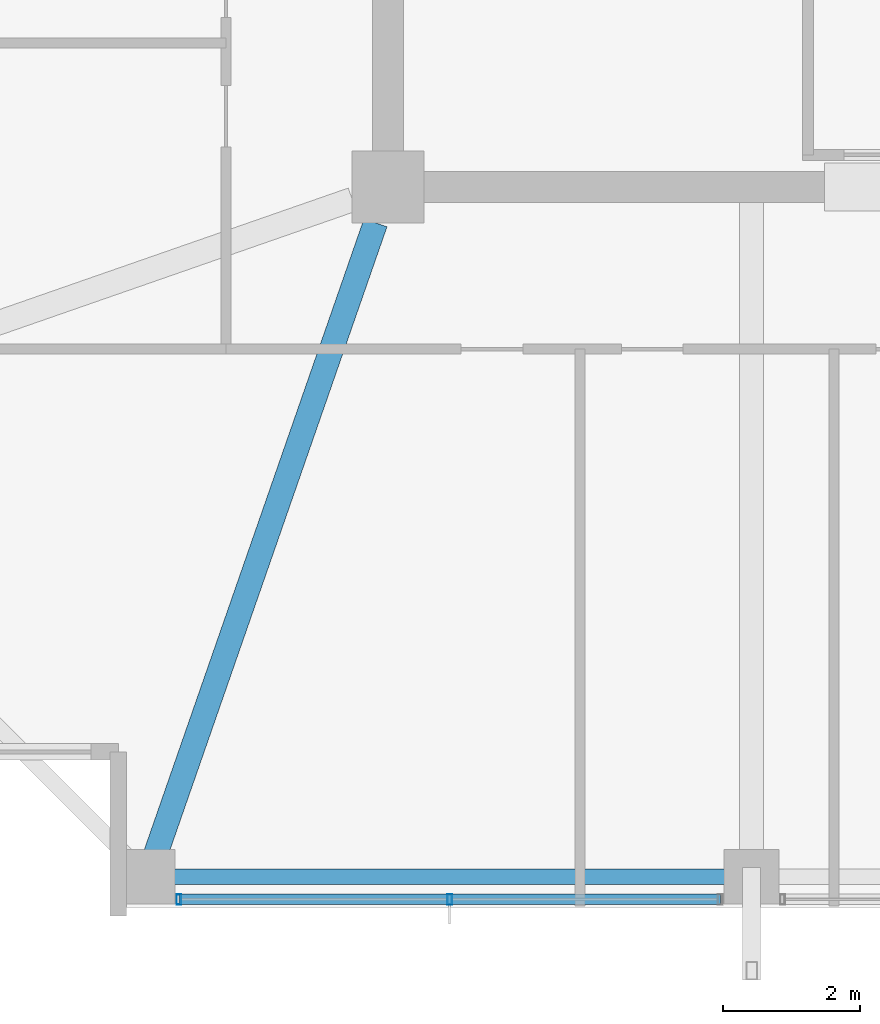
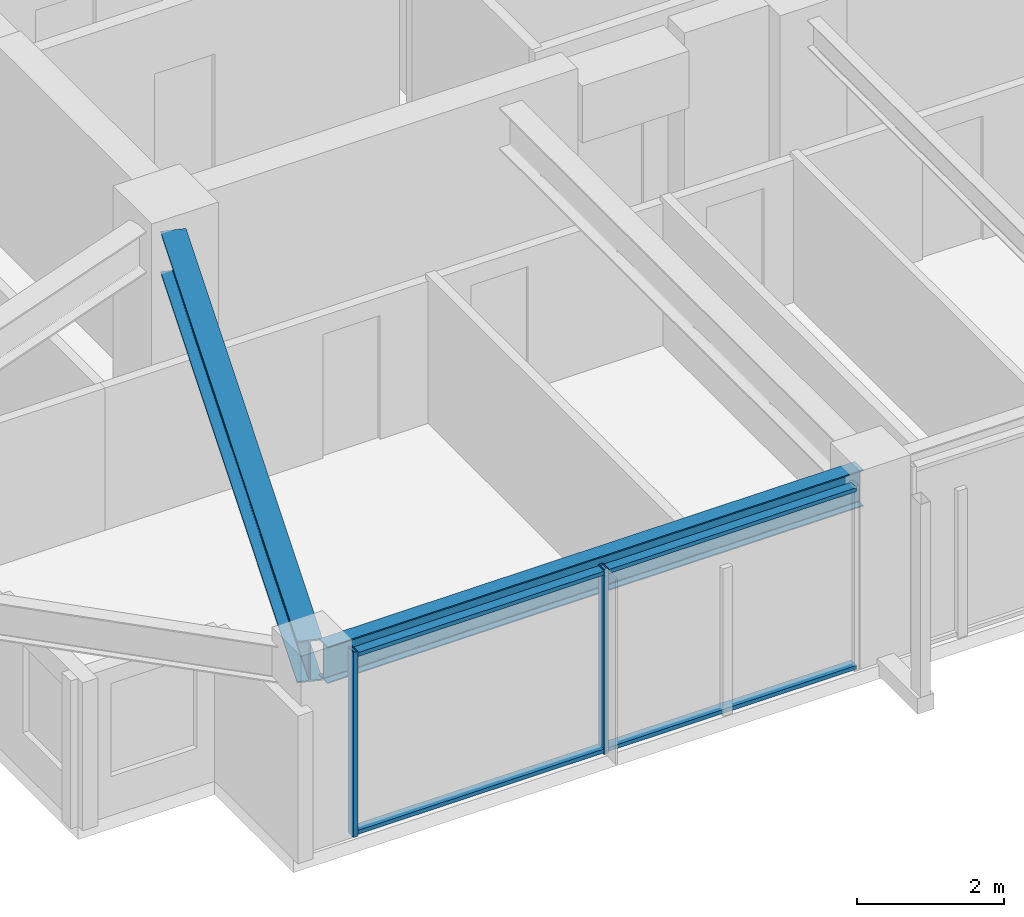
# One storey, part 2 of 35: 4 members, 2 beams, 1 element without a shape of its own.
"""IFC4 building model written with IfcOpenShell, lengths in metres."""

import ifcopenshell
import ifcopenshell.guid

model = None  # the IFC model being written
_history = None  # IfcOwnerHistory: only IFC2X3 demands one
_inside = {}  # id of a spatial element -> (the spatial element, [elements in it])
_under = {}  # id of a project, library or spatial element -> (it, [spatial elements below it])
_declared = {}  # id of a project -> (the project, [libraries it declares])
_typed = {}  # id of a type object -> (the type object, [elements of that type])
_made_of = {}  # id of a material, layer set ... -> (it, [elements and type objects made of it])


def new_model(schema):
    """Start an empty IFC model of exactly this schema.

    Asked for "IFC4X3", IfcOpenShell would pick the latest addendum, in which some entities
    have other attributes; the version numbers below select the first issue.
    IFC2X3 requires an IfcOwnerHistory on every rooted entity: one is made here for all.
    """
    global model, _history
    if schema == "IFC4X3":
        model = ifcopenshell.file(schema_version=(4, 3, 0, 0))
    else:
        model = ifcopenshell.file(schema=schema)
    _inside.clear()
    _under.clear()
    _declared.clear()
    _typed.clear()
    _made_of.clear()
    _history = None
    if model.schema == "IFC2X3":
        org = make("IfcOrganization", Name="unknown")
        user = make(
            "IfcPersonAndOrganization",
            ThePerson=make("IfcPerson", FamilyName="unknown"),
            TheOrganization=org,
        )
        app = make(
            "IfcApplication",
            ApplicationDeveloper=org,
            Version="unknown",
            ApplicationFullName="unknown",
            ApplicationIdentifier="unknown",
        )
        _history = make(
            "IfcOwnerHistory",
            OwningUser=user,
            OwningApplication=app,
            ChangeAction="ADDED",
            CreationDate=0,
        )
    return model


def make(cls, **values):
    """One entity of the class cls with the attributes given. An attribute that is None is left unset."""
    return model.create_entity(
        cls, **{name: value for name, value in values.items() if value is not None}
    )


def rooted(cls, **values):
    """An entity with a GlobalId (a new one), such as an element, a storey or a relation."""
    return make(cls, GlobalId=ifcopenshell.guid.new(), OwnerHistory=_history, **values)


def si_unit(unit_type, name, prefix=None):
    """IfcSIUnit, for example si_unit("LENGTHUNIT", "METRE", prefix="MILLI")."""
    return make("IfcSIUnit", UnitType=unit_type, Prefix=prefix, Name=name)


def assignment(units):
    """IfcUnitAssignment: the units of a project."""
    return None if units is None else make("IfcUnitAssignment", Units=units)


def point(xyz):
    """IfcCartesianPoint."""
    return None if xyz is None else make("IfcCartesianPoint", Coordinates=xyz)


def direction(xyz):
    """IfcDirection."""
    return None if xyz is None else make("IfcDirection", DirectionRatios=xyz)


def frame(location, z_axis=None, x_axis=None):
    """IfcAxis2Placement3D, a coordinate frame: its origin and axes. An axis left out is left unset."""
    return make(
        "IfcAxis2Placement3D",
        Location=point(location),
        Axis=direction(z_axis),
        RefDirection=direction(x_axis),
    )


def frame_2d(location, x_axis=None):
    """IfcAxis2Placement2D, a coordinate frame in the plane: its origin and x axis."""
    return make(
        "IfcAxis2Placement2D", Location=point(location), RefDirection=direction(x_axis)
    )


def origin():
    """The frame at (0, 0, 0) with its axes left unset."""
    return frame((0.0, 0.0, 0.0))


def origin_2d():
    """The frame at (0, 0) in the plane with its x axis left unset."""
    return frame_2d((0.0, 0.0))


def place(relative_to, where):
    """IfcLocalPlacement: puts the frame where relative to a parent placement (None: the world)."""
    return make(
        "IfcLocalPlacement", PlacementRelTo=relative_to, RelativePlacement=where
    )


def context(
    kind, dimensions, precision=None, world=None, true_north=None, identifier=None
):
    """IfcGeometricRepresentationContext, for example the 3D "Model" context."""
    return make(
        "IfcGeometricRepresentationContext",
        ContextIdentifier=identifier,
        ContextType=kind,
        CoordinateSpaceDimension=dimensions,
        Precision=precision,
        WorldCoordinateSystem=world,
        TrueNorth=true_north,
    )


def subcontext(parent, identifier, kind, view, scale=None):
    """IfcGeometricRepresentationSubContext, for example "Body" below "Model"."""
    return make(
        "IfcGeometricRepresentationSubContext",
        ContextIdentifier=identifier,
        ContextType=kind,
        ParentContext=parent,
        TargetScale=scale,
        TargetView=view,
    )


def project(units=None, contexts=None):
    """IfcProject with its units and contexts."""
    return rooted(
        "IfcProject",
        Name="project",
        RepresentationContexts=contexts,
        UnitsInContext=assignment(units),
    )


def spatial(cls, under=None, at=None, **own):
    """A site, building, storey or space (cls), placed at a placement, below another one or the project."""
    s = rooted(cls, ObjectPlacement=at, **own)
    if under is not None:
        _under.setdefault(under.id(), (under, []))[1].append(s)
    return s


def profile(cls, at=None, kind="AREA", **sizes):
    """A parametric profile (cls). Its sizes go by their IFC names, for example OverallWidth=200.0."""
    return make(cls, ProfileType=kind, Position=at, **sizes)


def hollow_rectangle(**sizes):
    """IfcRectangleHollowProfileDef."""
    return profile("IfcRectangleHollowProfileDef", **sizes)


def i_section(**sizes):
    """IfcIShapeProfileDef."""
    return profile("IfcIShapeProfileDef", **sizes)


def extrude(swept, where, along, depth):
    """IfcExtrudedAreaSolid: the profile swept, set in the frame where, extruded along a direction by depth."""
    return make(
        "IfcExtrudedAreaSolid",
        SweptArea=swept,
        Position=where,
        ExtrudedDirection=direction(along),
        Depth=depth,
    )


def shape(context_of_items, identifier, shape_type, items):
    """IfcShapeRepresentation: the items that make up one representation, for example the "Body"."""
    return make(
        "IfcShapeRepresentation",
        ContextOfItems=context_of_items,
        RepresentationIdentifier=identifier,
        RepresentationType=shape_type,
        Items=items,
    )


def material(Name=None, Category=None):
    """IfcMaterial."""
    return make("IfcMaterial", Name=Name, Category=Category)


def material_profile(
    of_material, cross_section, Name=None, Category=None, Priority=None
):
    """IfcMaterialProfile: a cross section and its material."""
    return make(
        "IfcMaterialProfile",
        Name=Name,
        Material=of_material,
        Profile=cross_section,
        Priority=Priority,
        Category=Category,
    )


def profile_set(profiles, Name=None, composite=None):
    """IfcMaterialProfileSet."""
    return make(
        "IfcMaterialProfileSet",
        Name=Name,
        MaterialProfiles=profiles,
        CompositeProfile=composite,
    )


def made_of(thing, what):
    """Note that an element or type object is made of a material, layer set ...; save() writes the relation."""
    if what is not None:
        _made_of.setdefault(what.id(), (what, []))[1].append(thing)
    return thing


def type_object(cls, material=None, **own):
    """A type object (cls), such as IfcWallType, which elements share."""
    return made_of(rooted(cls, **own), material)


def element(
    cls,
    number,
    at=None,
    inside=None,
    cuts=None,
    type_object=None,
    material=None,
    context=None,
    identifier="Body",
    shape_type=None,
    held_by="IfcProductDefinitionShape",
    body=None,
    shapes=None,
    **own,
):
    """One element of the class cls, such as IfcWall. Its Tag is "e" and its number.

    at: its placement. inside: the storey or other place that contains it. cuts: it is an
    opening in that element (IfcRelVoidsElement). A single representation is given by context,
    identifier, shape_type and body (its items); several are given by shapes. held_by: the class
    of the entity that holds the representations. save() writes the other relations.
    """
    e = rooted(cls, Tag="e%d" % number, ObjectPlacement=at, **own)
    if body is not None:
        shapes = [shape(context, identifier, shape_type, body)]
    if shapes is not None:
        e.Representation = make(held_by, Representations=shapes)
    if inside is not None:
        _inside.setdefault(inside.id(), (inside, []))[1].append(e)
    if cuts is not None:
        rooted(
            "IfcRelVoidsElement", RelatingBuildingElement=cuts, RelatedOpeningElement=e
        )
    if type_object is not None:
        _typed.setdefault(type_object.id(), (type_object, []))[1].append(e)
    return made_of(e, material)


def aggregate(whole, parts):
    """IfcRelAggregates: a whole, such as a stair, and the parts it consists of."""
    return rooted("IfcRelAggregates", RelatingObject=whole, RelatedObjects=parts)


def save(model, path):
    """Write the relations noted so far, then the file.

    IfcRelAggregates (storeys below a building ...), IfcRelContainedInSpatialStructure (elements
    in a storey), IfcRelDefinesByType, IfcRelAssociatesMaterial and IfcRelDeclares: one each for
    every whole, place, type object, material and project.
    """
    for whole, parts in _under.values():
        aggregate(whole, parts)
    for where, things in _inside.values():
        rooted(
            "IfcRelContainedInSpatialStructure",
            RelatedElements=things,
            RelatingStructure=where,
        )
    for kind, things in _typed.values():
        rooted("IfcRelDefinesByType", RelatedObjects=things, RelatingType=kind)
    for what, things in _made_of.values():
        rooted("IfcRelAssociatesMaterial", RelatedObjects=things, RelatingMaterial=what)
    for by, libraries in _declared.values():
        rooted("IfcRelDeclares", RelatingContext=by, RelatedDefinitions=libraries)
    model.write(path)


model = new_model("IFC4")

# Units and contexts
model_context = context("Model", 3, precision=1e-05, world=origin(), true_north=direction((0.0, 1.0)))
body_context = subcontext(model_context, "Body", "Model", "MODEL_VIEW")
ifc_project = project(units=[si_unit("LENGTHUNIT", "METRE"), si_unit("AREAUNIT", "SQUARE_METRE"), si_unit("VOLUMEUNIT", "CUBIC_METRE"), si_unit("PLANEANGLEUNIT", "RADIAN"), si_unit("MASSUNIT", "GRAM", prefix="KILO")], contexts=[model_context])

# Site, building, storey
site_placement = place(None, origin())
site = spatial("IfcSite", under=ifc_project, at=site_placement, CompositionType="ELEMENT")
building_placement = place(site_placement, origin())
building = spatial("IfcBuilding", under=site, at=building_placement, Name="Kolvaren Belvedere", CompositionType="ELEMENT")
storey_placement = place(building_placement, frame((0.0, 0.0, 216.300048828125)))
storey = spatial("IfcBuildingStorey", under=building, at=storey_placement, Name="L63", CompositionType="ELEMENT", Elevation=216.300048828125)

# Beams
ifc_material_1 = material(Name="Structural steel ASTM A992 Grade 50", Category="steel")
ifc_material_profile_1 = material_profile(ifc_material_1, i_section(OverallWidth=0.35498046875, OverallDepth=0.696044921875, WebThickness=0.015380859375, FlangeThickness=0.02490234375, FilletRadius=0.02197265625, at=origin_2d()), Name="W27X146")
ifc_profile_set_1 = profile_set([ifc_material_profile_1], Name="Structural steel ASTM A992 Grade 50")
beam_type_1 = type_object("IfcBeamType", Name="BM-GIRD-W27X146", PredefinedType="BEAM", material=ifc_profile_set_1)
beam_1_placement = place(storey_placement, frame((-10.080810546875, -10.41943359375, 2.73193359375), z_axis=(-0.328898147971, -0.944365399758, 0.0), x_axis=(0.944365399758, -0.328898147971, 0.0)))
element("IfcBeam", 1, at=beam_1_placement, inside=storey, type_object=beam_type_1, Name="L63 Corner Core-to-Perimeter Girder CC1-S1", PredefinedType="BEAM", context=body_context, shape_type="SweptSolid", body=[
    extrude(i_section(OverallWidth=0.35498046875, OverallDepth=0.696044921875, WebThickness=0.015380859375, FlangeThickness=0.02490234375, FilletRadius=0.02197265625, at=origin_2d()), origin(), (0.0, 0.0, 1.0), 9.931884765625),
])
ifc_material_2 = material(Name="Structural steel ASTM A992 Grade 50", Category="steel")
ifc_material_profile_2 = material_profile(ifc_material_2, i_section(OverallWidth=0.22900390625, OverallDepth=0.612060546875, WebThickness=0.011962890625, FlangeThickness=0.01953125, FilletRadius=0.01806640625, at=origin_2d()), Name="W24X84")
ifc_profile_set_2 = profile_set([ifc_material_profile_2], Name="Structural steel ASTM A992 Grade 50")
beam_type_2 = type_object("IfcBeamType", Name="BM-SPAN-W24X84", PredefinedType="SPANDREL", material=ifc_profile_set_2)
beam_2_placement = place(storey_placement, frame((-13.219970703125, -19.949951171875, 2.77392578125), z_axis=(1.0, 0.0, 0.0), x_axis=(0.0, 1.0, 0.0)))
element("IfcBeam", 2, at=beam_2_placement, inside=storey, type_object=beam_type_2, Name="L63 Perimeter Spandrel S1-S2", PredefinedType="SPANDREL", context=body_context, shape_type="SweptSolid", body=[
    extrude(i_section(OverallWidth=0.22900390625, OverallDepth=0.612060546875, WebThickness=0.011962890625, FlangeThickness=0.01953125, FilletRadius=0.01806640625, at=origin_2d()), origin(), (0.0, 0.0, 1.0), 8.43994140625),
])

# Curtain wall, members
ifc_material_3 = material(Name="Anodised pale-metal aluminium AA 6063-T6", Category="aluminium")
curtain_wall_type = type_object("IfcCurtainWallType", Name="CW-Z5-HIGH", PredefinedType="NOTDEFINED", material=ifc_material_3)
curtain_wall_placement = place(storey_placement, origin())
curtain_wall = element("IfcCurtainWall", 3, at=curtain_wall_placement, inside=storey, type_object=curtain_wall_type, Name="L63 Unitised Curtain Wall FCW-L63-S-B3", PredefinedType="NOTDEFINED")
ifc_material_4 = material(Name="Anodised pale-metal aluminium AA 6063-T6", Category="aluminium")
ifc_material_profile_3 = material_profile(ifc_material_4, hollow_rectangle(XDim=0.070068359375, YDim=0.14990234375, WallThickness=0.004150390625, at=origin_2d()), Name="ALU-MUL-150X70")
ifc_profile_set_3 = profile_set([ifc_material_profile_3], Name="Anodised pale-metal aluminium AA 6063-T6")
member_type_1 = type_object("IfcMemberType", Name="CW-MUL-150", PredefinedType="MULLION", material=ifc_profile_set_3)
member_1_placement = place(storey_placement, frame((-9.0, -20.280029296875, 0.0), z_axis=(0.0, 0.0, 1.0), x_axis=(1.0, 0.0, 0.0)))
member_1 = element("IfcMember", 4, at=member_1_placement, type_object=member_type_1, Name="FCW-L63-S-B3 Unitised Mullion 2", PredefinedType="MULLION", context=body_context, shape_type="SweptSolid", body=[
    extrude(hollow_rectangle(XDim=0.070068359375, YDim=0.14990234375, WallThickness=0.004150390625, at=origin_2d()), origin(), (0.0, 0.0, 1.0), 3.079833984375),
])
member_2_placement = place(storey_placement, frame((-12.945068359375, -20.280029296875, 0.0), z_axis=(0.0, 0.0, 1.0), x_axis=(1.0, 0.0, 0.0)))
member_2 = element("IfcMember", 5, at=member_2_placement, type_object=member_type_1, Name="FCW-L63-S-B3 Unitised Mullion 3", PredefinedType="MULLION", context=body_context, shape_type="SweptSolid", body=[
    extrude(hollow_rectangle(XDim=0.070068359375, YDim=0.14990234375, WallThickness=0.004150390625, at=origin_2d()), origin(), (0.0, 0.0, 1.0), 3.079833984375),
])
ifc_material_5 = material(Name="Anodised pale-metal aluminium AA 6063-T6", Category="aluminium")
ifc_material_profile_4 = material_profile(ifc_material_5, hollow_rectangle(XDim=0.06494140625, YDim=0.14990234375, WallThickness=0.00390625, at=origin_2d()), Name="ALU-TRN-150X65")
ifc_profile_set_4 = profile_set([ifc_material_profile_4], Name="Anodised pale-metal aluminium AA 6063-T6")
member_type_2 = type_object("IfcMemberType", Name="CW-TRN-150", PredefinedType="USERDEFINED", material=ifc_profile_set_4)
member_3_placement = place(storey_placement, frame((-5.054931640625, -20.280029296875, 0.06005859375), z_axis=(-1.0, 0.0, 0.0), x_axis=(0.0, 0.0, 1.0)))
member_3 = element("IfcMember", 6, at=member_3_placement, type_object=member_type_2, Name="FCW-L63-S-B3 Sill Transom", ObjectType="TRANSOM", PredefinedType="USERDEFINED", context=body_context, shape_type="SweptSolid", body=[
    extrude(hollow_rectangle(XDim=0.06494140625, YDim=0.14990234375, WallThickness=0.00390625, at=origin_2d()), origin(), (0.0, 0.0, 1.0), 7.89013671875),
])
member_4_placement = place(storey_placement, frame((-5.054931640625, -20.280029296875, 3.02001953125), z_axis=(-1.0, 0.0, 0.0), x_axis=(0.0, 0.0, 1.0)))
member_4 = element("IfcMember", 7, at=member_4_placement, type_object=member_type_2, Name="FCW-L63-S-B3 Head Transom", ObjectType="TRANSOM", PredefinedType="USERDEFINED", context=body_context, shape_type="SweptSolid", body=[
    extrude(hollow_rectangle(XDim=0.06494140625, YDim=0.14990234375, WallThickness=0.00390625, at=origin_2d()), origin(), (0.0, 0.0, 1.0), 7.89013671875),
])
aggregate(curtain_wall, [member_1, member_2, member_3, member_4])

save(model, "model.ifc")
